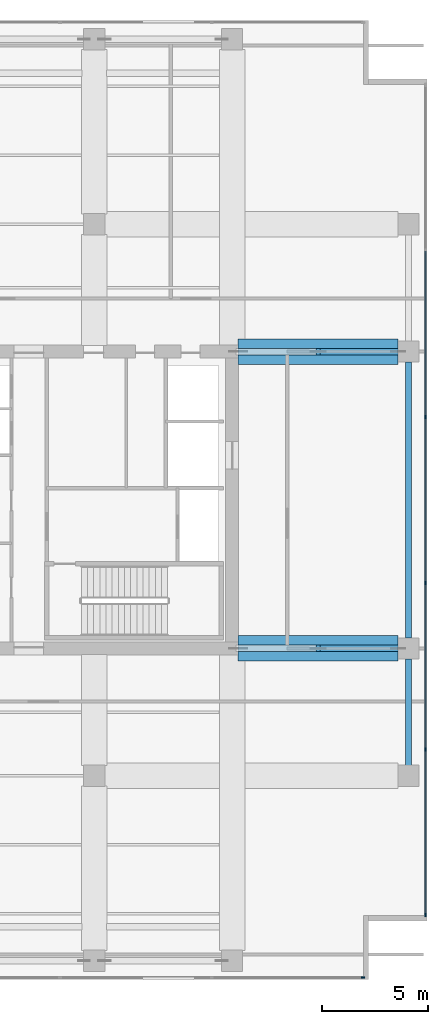
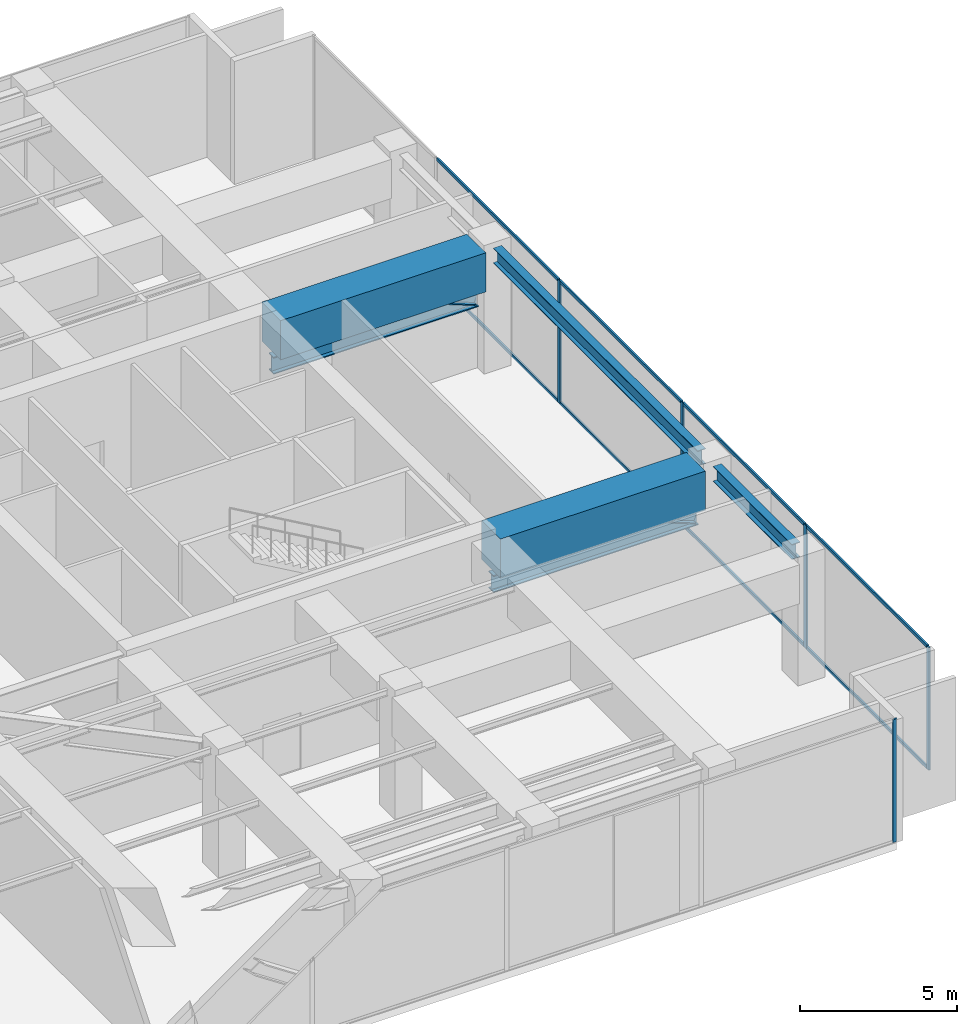
# One storey, part 11 of 28: 17 members, 4 beams, 2 elements without a shape of their own.
"""IFC4 building model written with IfcOpenShell, lengths in metres."""

from ifc_helpers import new_model, si_unit, direction, frame, origin, origin_2d, place, context, subcontext, project, spatial, rectangle, i_section, extrude, material, layer, layer_set, material_profile, profile_set, type_object, element, aggregate, save


model = new_model("IFC4")

# Units and contexts
model_context = context("Model", 3, precision=1e-05, world=origin(), true_north=direction((0.0, 1.0)))
body_context = subcontext(model_context, "Body", "Model", "MODEL_VIEW")
ifc_project = project(units=[si_unit("LENGTHUNIT", "METRE"), si_unit("AREAUNIT", "SQUARE_METRE"), si_unit("VOLUMEUNIT", "CUBIC_METRE"), si_unit("PLANEANGLEUNIT", "RADIAN"), si_unit("MASSUNIT", "GRAM", prefix="KILO")], contexts=[model_context])

# Site, building, storey
site_placement = place(None, origin())
site = spatial("IfcSite", under=ifc_project, at=site_placement, CompositionType="ELEMENT")
building_placement = place(site_placement, origin())
building = spatial("IfcBuilding", under=site, at=building_placement, Name="Putna Gate Headquarters", CompositionType="ELEMENT")
storey_placement = place(building_placement, frame((0.0, 0.0, 197.39990234375)))
storey = spatial("IfcBuildingStorey", under=building, at=storey_placement, Name="L49", CompositionType="ELEMENT", Elevation=197.39990234375)

# Beams
ifc_material_1 = material(Name="Steel S355J2", Category="steel")
ifc_material_profile_1 = material_profile(ifc_material_1, i_section(OverallWidth=0.300048828125, OverallDepth=0.590087890625, WebThickness=0.012939453125, FlangeThickness=0.02490234375, at=origin_2d()), Name="Steel S355J2")
ifc_profile_set_1 = profile_set([ifc_material_profile_1], Name="Steel S355J2")
beam_type_1 = type_object("IfcBeamType", Name="BM-SPAN-Z4-HEA600", PredefinedType="SPANDREL", material=ifc_profile_set_1)
beam_1_placement = place(storey_placement, frame((73.320068359375, 13.488037109375, 4.485107421875), z_axis=(0.0, 1.0, 0.0), x_axis=(-1.0, 0.0, 0.0)))
element("IfcBeam", 1, at=beam_1_placement, inside=storey, type_object=beam_type_1, Name="L49 E End Spandrel 1", PredefinedType="SPANDREL", context=body_context, shape_type="SweptSolid", body=[
    extrude(i_section(OverallWidth=0.300048828125, OverallDepth=0.590087890625, WebThickness=0.012939453125, FlangeThickness=0.02490234375, at=origin_2d()), origin(), (0.0, 0.0, 1.0), 5.02392578125),
])
beam_2_placement = place(storey_placement, frame((73.320068359375, 19.488037109375, 4.485107421875), z_axis=(0.0, 1.0, 0.0), x_axis=(-1.0, 0.0, 0.0)))
element("IfcBeam", 2, at=beam_2_placement, inside=storey, type_object=beam_type_1, Name="L49 E End Spandrel 2", PredefinedType="SPANDREL", context=body_context, shape_type="SweptSolid", body=[
    extrude(i_section(OverallWidth=0.300048828125, OverallDepth=0.590087890625, WebThickness=0.012939453125, FlangeThickness=0.02490234375, at=origin_2d()), origin(), (0.0, 0.0, 1.0), 13.02392578125),
])
ifc_material_2 = material(Name="Concrete C50/60", Category="concrete")
ifc_material_profile_2 = material_profile(ifc_material_2, rectangle(XDim=1.199951171875, YDim=1.52001953125, at=origin_2d()), Name="Concrete C50/60")
ifc_profile_set_2 = profile_set([ifc_material_profile_2], Name="Concrete C50/60")
beam_type_2 = type_object("IfcBeamType", Name="BM-TG-RC1520", PredefinedType="USERDEFINED", material=ifc_profile_set_2)
for number, where, z_axis, x_axis, name in (
    (3, (65.284912109375, 19.0, 4.02001953125), (1.0, 0.0, 0.0), (0.0, 1.0, 0.0), "L49 East Wing Girder Y19"),
    (4, (65.284912109375, 33.0, 4.02001953125), (1.0, 0.0, 0.0), (0.0, 1.0, 0.0), "L49 East Wing Girder Y33"),
):
    element("IfcBeam", number, at=place(storey_placement, frame(where, z_axis=z_axis, x_axis=x_axis)), inside=storey, type_object=beam_type_2, Name=name, ObjectType="GIRDER", PredefinedType="USERDEFINED", context=body_context, shape_type="SweptSolid", body=[
        extrude(rectangle(XDim=1.199951171875, YDim=1.52001953125, at=origin_2d()), origin(), (0.0, 0.0, 1.0), 7.547119140625),
    ])

# Members
ifc_material_3 = material(Name="Steel S460M", Category="steel")
ifc_material_profile_3 = material_profile(ifc_material_3, i_section(OverallWidth=0.304931640625, OverallDepth=0.66796875, WebThickness=0.02099609375, FlangeThickness=0.0400390625, at=origin_2d()), Name="Steel S460M")
ifc_profile_set_3 = profile_set([ifc_material_profile_3], Name="Steel S460M")
member_type_1 = type_object("IfcMemberType", Name="MEM-OUTRIGGER-CHORD-HEM650", PredefinedType="CHORD", material=ifc_profile_set_3)
for number, where, z_axis, x_axis, name in (
    (5, (65.284912109375, 19.0, 2.75), (1.0, 0.0, 0.0), (0.0, 1.0, 0.0), "L49 Outrigger Bottom Chord ES"),
    (6, (65.284912109375, 33.0, 2.75), (1.0, 0.0, 0.0), (0.0, 1.0, 0.0), "L49 Outrigger Bottom Chord EN"),
):
    element("IfcMember", number, at=place(storey_placement, frame(where, z_axis=z_axis, x_axis=x_axis)), inside=storey, type_object=member_type_1, Name=name, PredefinedType="CHORD", context=body_context, shape_type="SweptSolid", body=[
        extrude(i_section(OverallWidth=0.304931640625, OverallDepth=0.66796875, WebThickness=0.02099609375, FlangeThickness=0.0400390625, at=origin_2d()), origin(), (0.0, 0.0, 1.0), 7.550048828125),
    ])
ifc_material_profile_4 = material_profile(ifc_material_3, i_section(OverallWidth=0.305908203125, OverallDepth=0.572021484375, WebThickness=0.02099609375, FlangeThickness=0.0400390625, at=origin_2d()), Name="Steel S460M")
ifc_profile_set_4 = profile_set([ifc_material_profile_4], Name="Steel S460M")
member_type_2 = type_object("IfcMemberType", Name="MEM-OUTRIGGER-DIAG-HEM550", PredefinedType="BRACE", material=ifc_profile_set_4)
for number, where, z_axis, x_axis, name in (
    (7, (69.06005859375, 19.0, 4.22998046875), (0.931004495093, 0.0, -0.365007712408), (0.0, 1.0, 0.0), "L49 Outrigger Truss Brace ES-2"),
    (8, (69.06005859375, 33.0, 4.22998046875), (0.931004495093, 0.0, -0.365007712408), (0.0, 1.0, 0.0), "L49 Outrigger Truss Brace EN-2"),
):
    element("IfcMember", number, at=place(storey_placement, frame(where, z_axis=z_axis, x_axis=x_axis)), inside=storey, type_object=member_type_2, Name=name, PredefinedType="BRACE", context=body_context, shape_type="SweptSolid", body=[
        extrude(i_section(OverallWidth=0.305908203125, OverallDepth=0.572021484375, WebThickness=0.02099609375, FlangeThickness=0.0400390625, at=origin_2d()), origin(), (0.0, 0.0, 1.0), 4.0546875),
    ])

# Curtain wall, member
ifc_material_4 = material(Name="Anodised bronze aluminium curtain wall", Category="aluminium")
ifc_layer = layer(ifc_material_4, 0.159912109375)
ifc_layer_set = layer_set([ifc_layer], Name="Anodised bronze aluminium curtain wall")
curtain_wall_type = type_object("IfcCurtainWallType", Name="CW-SYS-CRN", PredefinedType="USERDEFINED", material=ifc_layer_set)
curtain_wall_1_placement = place(storey_placement, origin())
curtain_wall_1 = element("IfcCurtainWall", 9, at=curtain_wall_1_placement, inside=storey, type_object=curtain_wall_type, Name="L49 Acoustic Louvre South Enclosure", ObjectType="STICK CURTAIN WALL", PredefinedType="USERDEFINED")
ifc_material_5 = material(Name="Anodised bronze aluminium EN AW-6060", Category="aluminium")
ifc_material_profile_5 = material_profile(ifc_material_5, rectangle(XDim=0.06494140625, YDim=0.159912109375, at=origin_2d()), Name="Anodised bronze aluminium EN AW-6060")
ifc_profile_set_5 = profile_set([ifc_material_profile_5], Name="Anodised bronze aluminium EN AW-6060")
member_type_3 = type_object("IfcMemberType", Name="MULL-CWM-CR", PredefinedType="MULLION", material=ifc_profile_set_5)
member_1_placement = place(storey_placement, frame((71.16748046875, 3.47998046875, 0.0), z_axis=(0.0, 0.0, 1.0), x_axis=(0.0, 1.0, 0.0)))
member_1 = element("IfcMember", 10, at=member_1_placement, type_object=member_type_3, Name="CWS-CR mullion 10", PredefinedType="MULLION", context=body_context, shape_type="SweptSolid", body=[
    extrude(rectangle(XDim=0.06494140625, YDim=0.159912109375, at=origin_2d()), origin(), (0.0, 0.0, 1.0), 4.780029296875),
])
aggregate(curtain_wall_1, [member_1])

# Curtain wall, members
curtain_wall_2_placement = place(storey_placement, origin())
curtain_wall_2 = element("IfcCurtainWall", 11, at=curtain_wall_2_placement, inside=storey, type_object=curtain_wall_type, Name="L49 Acoustic Louvre East Enclosure", ObjectType="STICK CURTAIN WALL", PredefinedType="USERDEFINED")
member_2_placement = place(storey_placement, frame((74.1201171875, 6.4326171875, 0.0), z_axis=(0.0, 0.0, 1.0), x_axis=(-1.0, 0.0, 0.0)))
member_2 = element("IfcMember", 12, at=member_2_placement, type_object=member_type_3, Name="CWS-CR mullion 1", PredefinedType="MULLION", context=body_context, shape_type="SweptSolid", body=[
    extrude(rectangle(XDim=0.06494140625, YDim=0.159912109375, at=origin_2d()), origin(), (0.0, 0.0, 1.0), 4.780029296875),
])
member_3_placement = place(storey_placement, frame((74.1201171875, 14.239990234375, 0.0), z_axis=(0.0, 0.0, 1.0), x_axis=(-1.0, 0.0, 0.0)))
member_3 = element("IfcMember", 13, at=member_3_placement, type_object=member_type_3, Name="CWS-CR mullion 2", PredefinedType="MULLION", context=body_context, shape_type="SweptSolid", body=[
    extrude(rectangle(XDim=0.06494140625, YDim=0.159912109375, at=origin_2d()), origin(), (0.0, 0.0, 1.0), 4.780029296875),
])
member_4_placement = place(storey_placement, frame((74.1201171875, 22.080078125, 0.0), z_axis=(0.0, 0.0, 1.0), x_axis=(-1.0, 0.0, 0.0)))
member_4 = element("IfcMember", 14, at=member_4_placement, type_object=member_type_3, Name="CWS-CR mullion 3", PredefinedType="MULLION", context=body_context, shape_type="SweptSolid", body=[
    extrude(rectangle(XDim=0.06494140625, YDim=0.159912109375, at=origin_2d()), origin(), (0.0, 0.0, 1.0), 4.780029296875),
])
member_5_placement = place(storey_placement, frame((74.1201171875, 29.919921875, 0.0), z_axis=(0.0, 0.0, 1.0), x_axis=(-1.0, 0.0, 0.0)))
member_5 = element("IfcMember", 15, at=member_5_placement, type_object=member_type_3, Name="CWS-CR mullion 4", PredefinedType="MULLION", context=body_context, shape_type="SweptSolid", body=[
    extrude(rectangle(XDim=0.06494140625, YDim=0.159912109375, at=origin_2d()), origin(), (0.0, 0.0, 1.0), 4.780029296875),
])
ifc_material_profile_6 = material_profile(ifc_material_5, rectangle(XDim=0.06494140625, YDim=0.1201171875, at=origin_2d()), Name="Anodised bronze aluminium EN AW-6060")
ifc_profile_set_6 = profile_set([ifc_material_profile_6], Name="Anodised bronze aluminium EN AW-6060")
member_type_4 = type_object("IfcMemberType", Name="TRAN-CWT-CR", PredefinedType="USERDEFINED", material=ifc_profile_set_6)
member_6_placement = place(storey_placement, frame((74.1201171875, 6.465087890625, 0.03271484375), z_axis=(0.0, 1.0, 0.0), x_axis=(-1.0, 0.0, 0.0)))
member_6 = element("IfcMember", 16, at=member_6_placement, type_object=member_type_4, Name="CWS-CR transom 1.1", ObjectType="TRANSOM", PredefinedType="USERDEFINED", context=body_context, shape_type="SweptSolid", body=[
    extrude(rectangle(XDim=0.06494140625, YDim=0.1201171875, at=origin_2d()), origin(), (0.0, 0.0, 1.0), 7.742431640625),
])
member_7_placement = place(storey_placement, frame((74.1201171875, 6.465087890625, 4.74755859375), z_axis=(0.0, 1.0, 0.0), x_axis=(-1.0, 0.0, 0.0)))
member_7 = element("IfcMember", 17, at=member_7_placement, type_object=member_type_4, Name="CWS-CR transom 1.2", ObjectType="TRANSOM", PredefinedType="USERDEFINED", context=body_context, shape_type="SweptSolid", body=[
    extrude(rectangle(XDim=0.06494140625, YDim=0.1201171875, at=origin_2d()), origin(), (0.0, 0.0, 1.0), 7.742431640625),
])
member_8_placement = place(storey_placement, frame((74.1201171875, 14.2724609375, 0.03271484375), z_axis=(0.0, 1.0, 0.0), x_axis=(-1.0, 0.0, 0.0)))
member_8 = element("IfcMember", 18, at=member_8_placement, type_object=member_type_4, Name="CWS-CR transom 2.1", ObjectType="TRANSOM", PredefinedType="USERDEFINED", context=body_context, shape_type="SweptSolid", body=[
    extrude(rectangle(XDim=0.06494140625, YDim=0.1201171875, at=origin_2d()), origin(), (0.0, 0.0, 1.0), 7.775146484375),
])
member_9_placement = place(storey_placement, frame((74.1201171875, 14.2724609375, 4.74755859375), z_axis=(0.0, 1.0, 0.0), x_axis=(-1.0, 0.0, 0.0)))
member_9 = element("IfcMember", 19, at=member_9_placement, type_object=member_type_4, Name="CWS-CR transom 2.2", ObjectType="TRANSOM", PredefinedType="USERDEFINED", context=body_context, shape_type="SweptSolid", body=[
    extrude(rectangle(XDim=0.06494140625, YDim=0.1201171875, at=origin_2d()), origin(), (0.0, 0.0, 1.0), 7.775146484375),
])
member_10_placement = place(storey_placement, frame((74.1201171875, 22.112548828125, 0.03271484375), z_axis=(0.0, 1.0, 0.0), x_axis=(-1.0, 0.0, 0.0)))
member_10 = element("IfcMember", 20, at=member_10_placement, type_object=member_type_4, Name="CWS-CR transom 3.1", ObjectType="TRANSOM", PredefinedType="USERDEFINED", context=body_context, shape_type="SweptSolid", body=[
    extrude(rectangle(XDim=0.06494140625, YDim=0.1201171875, at=origin_2d()), origin(), (0.0, 0.0, 1.0), 7.77490234375),
])
member_11_placement = place(storey_placement, frame((74.1201171875, 22.112548828125, 4.74755859375), z_axis=(0.0, 1.0, 0.0), x_axis=(-1.0, 0.0, 0.0)))
member_11 = element("IfcMember", 21, at=member_11_placement, type_object=member_type_4, Name="CWS-CR transom 3.2", ObjectType="TRANSOM", PredefinedType="USERDEFINED", context=body_context, shape_type="SweptSolid", body=[
    extrude(rectangle(XDim=0.06494140625, YDim=0.1201171875, at=origin_2d()), origin(), (0.0, 0.0, 1.0), 7.77490234375),
])
member_12_placement = place(storey_placement, frame((74.1201171875, 29.952392578125, 0.03271484375), z_axis=(0.0, 1.0, 0.0), x_axis=(-1.0, 0.0, 0.0)))
member_12 = element("IfcMember", 22, at=member_12_placement, type_object=member_type_4, Name="CWS-CR transom 4.1", ObjectType="TRANSOM", PredefinedType="USERDEFINED", context=body_context, shape_type="SweptSolid", body=[
    extrude(rectangle(XDim=0.06494140625, YDim=0.1201171875, at=origin_2d()), origin(), (0.0, 0.0, 1.0), 7.775146484375),
])
member_13_placement = place(storey_placement, frame((74.1201171875, 29.952392578125, 4.74755859375), z_axis=(0.0, 1.0, 0.0), x_axis=(-1.0, 0.0, 0.0)))
member_13 = element("IfcMember", 23, at=member_13_placement, type_object=member_type_4, Name="CWS-CR transom 4.2", ObjectType="TRANSOM", PredefinedType="USERDEFINED", context=body_context, shape_type="SweptSolid", body=[
    extrude(rectangle(XDim=0.06494140625, YDim=0.1201171875, at=origin_2d()), origin(), (0.0, 0.0, 1.0), 7.775146484375),
])
aggregate(curtain_wall_2, [member_2, member_3, member_4, member_5, member_6, member_7, member_8, member_9, member_10, member_11, member_12, member_13])

save(model, "model.ifc")
